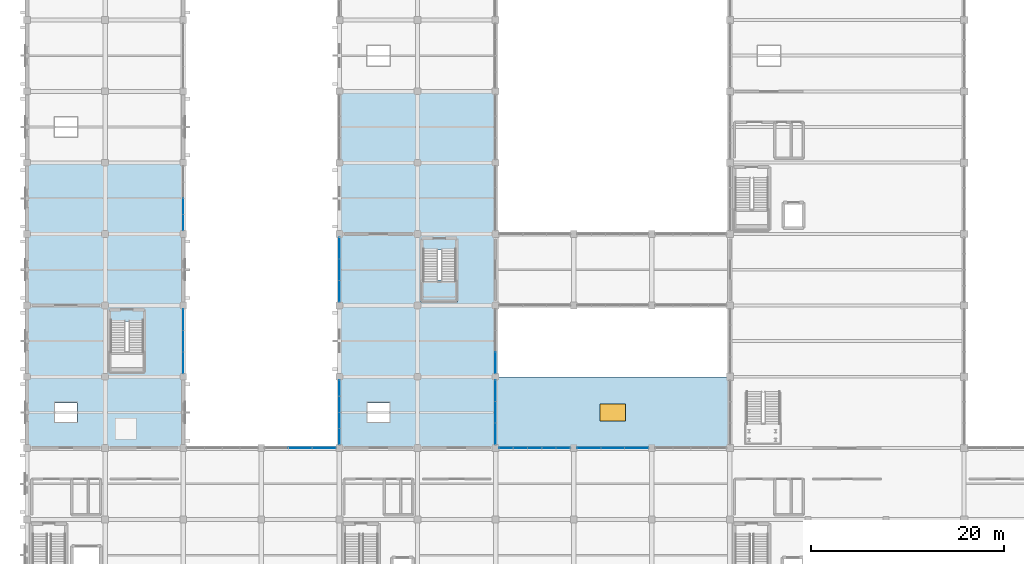
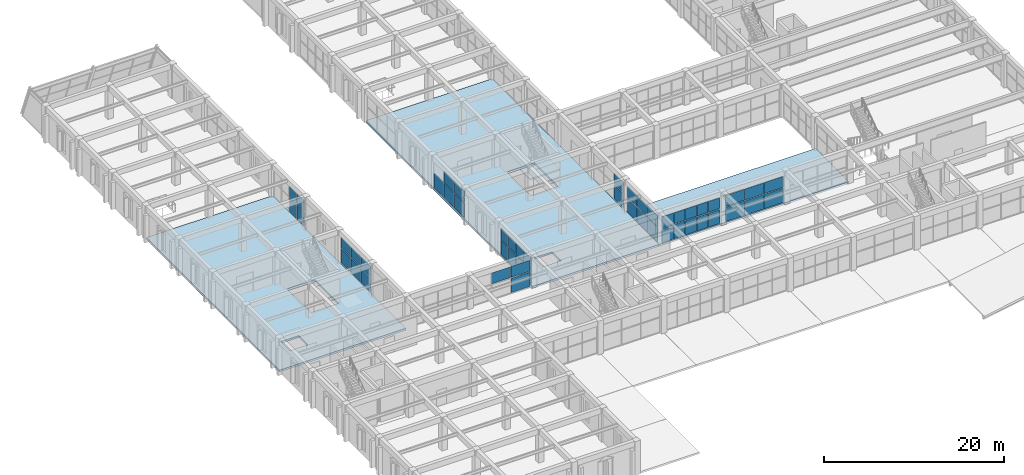
# One storey, part 131 of 161: 50 plates, 4 slabs, 1 window, 1 opening, 10 elements without a shape of their own.
"""IFC4 building model written with IfcOpenShell, lengths in metres."""

from ifc_helpers import new_model, si_unit, direction, frame, origin, origin_2d, place, context, subcontext, project, spatial, polyline, rectangle, outline, extrude, material, layer, layer_set, type_object, element, fill, aggregate, save


model = new_model("IFC4")

# Units and contexts
model_context = context("Model", 3, precision=1e-05, world=origin(), true_north=direction((0.0, 1.0)))
body_context = subcontext(model_context, "Body", "Model", "MODEL_VIEW")
ifc_project = project(units=[si_unit("LENGTHUNIT", "METRE"), si_unit("AREAUNIT", "SQUARE_METRE"), si_unit("VOLUMEUNIT", "CUBIC_METRE"), si_unit("PLANEANGLEUNIT", "RADIAN"), si_unit("MASSUNIT", "GRAM", prefix="KILO")], contexts=[model_context])

# Site, building, storey
site_placement = place(None, origin())
site = spatial("IfcSite", under=ifc_project, at=site_placement, CompositionType="ELEMENT")
building_placement = place(site_placement, origin())
building = spatial("IfcBuilding", under=site, at=building_placement, Name="Cimatlan Art Gallery", CompositionType="ELEMENT")
storey_placement = place(building_placement, frame((0.0, 0.0, 5.39990234375)))
storey = spatial("IfcBuildingStorey", under=building, at=storey_placement, Name="L01", CompositionType="ELEMENT", Elevation=5.39990234375)

# Curtain wall, plates
ifc_material_1 = material(Name="Anodised bronze unitised curtain wall")
curtain_wall_type_1 = type_object("IfcCurtainWallType", Name="CW-V-07392X03735-B5", PredefinedType="NOTDEFINED", material=ifc_material_1)
curtain_wall_1_placement = place(storey_placement, origin())
curtain_wall_1 = element("IfcCurtainWall", 1, at=curtain_wall_1_placement, inside=storey, type_object=curtain_wall_type_1, Name="CW-L01-06-04-N", PredefinedType="NOTDEFINED")
ifc_material_2 = material(Name="Low-E insulated double glazing", Category="glass")
ifc_layer_1 = layer(ifc_material_2, 0.028076171875)
ifc_layer_set_1 = layer_set([ifc_layer_1], Name="Low-E insulated double glazing")
plate_type_1 = type_object("IfcPlateType", Name="PNL-1420X1459", PredefinedType="CURTAIN_PANEL", material=ifc_layer_set_1)
plate_1_placement = place(storey_placement, frame((51.693115234375, 38.699951171875, 2.15380859375), z_axis=(0.0, 0.0, 1.0), x_axis=(1.0, 0.0, 0.0)))
plate_1 = element("IfcPlate", 2, at=plate_1_placement, type_object=plate_type_1, Name="CW-L01-06-04-N-P12", PredefinedType="CURTAIN_PANEL", context=body_context, shape_type="SweptSolid", body=[
    extrude(rectangle(XDim=1.419921875, YDim=0.028076171875, at=origin_2d()), origin(), (0.0, 0.0, 1.0), 1.458984375),
])
plate_2_placement = place(storey_placement, frame((53.171630859375, 38.699951171875, 2.15380859375), z_axis=(0.0, 0.0, 1.0), x_axis=(1.0, 0.0, 0.0)))
plate_2 = element("IfcPlate", 3, at=plate_2_placement, type_object=plate_type_1, Name="CW-L01-06-04-N-P22", PredefinedType="CURTAIN_PANEL", context=body_context, shape_type="SweptSolid", body=[
    extrude(rectangle(XDim=1.419921875, YDim=0.028076171875, at=origin_2d()), origin(), (0.0, 0.0, 1.0), 1.458984375),
])
plate_3_placement = place(storey_placement, frame((54.64990234375, 38.699951171875, 2.15380859375), z_axis=(0.0, 0.0, 1.0), x_axis=(1.0, 0.0, 0.0)))
plate_3 = element("IfcPlate", 4, at=plate_3_placement, type_object=plate_type_1, Name="CW-L01-06-04-N-P32", PredefinedType="CURTAIN_PANEL", context=body_context, shape_type="SweptSolid", body=[
    extrude(rectangle(XDim=1.419921875, YDim=0.028076171875, at=origin_2d()), origin(), (0.0, 0.0, 1.0), 1.458984375),
])
plate_4_placement = place(storey_placement, frame((56.12841796875, 38.699951171875, 2.15380859375), z_axis=(0.0, 0.0, 1.0), x_axis=(1.0, 0.0, 0.0)))
plate_4 = element("IfcPlate", 5, at=plate_4_placement, type_object=plate_type_1, Name="CW-L01-06-04-N-P42", PredefinedType="CURTAIN_PANEL", context=body_context, shape_type="SweptSolid", body=[
    extrude(rectangle(XDim=1.419921875, YDim=0.028076171875, at=origin_2d()), origin(), (0.0, 0.0, 1.0), 1.458984375),
])
plate_5_placement = place(storey_placement, frame((57.606689453125, 38.699951171875, 2.15380859375), z_axis=(0.0, 0.0, 1.0), x_axis=(1.0, 0.0, 0.0)))
plate_5 = element("IfcPlate", 6, at=plate_5_placement, type_object=plate_type_1, Name="CW-L01-06-04-N-P52", PredefinedType="CURTAIN_PANEL", context=body_context, shape_type="SweptSolid", body=[
    extrude(rectangle(XDim=1.419921875, YDim=0.028076171875, at=origin_2d()), origin(), (0.0, 0.0, 1.0), 1.458984375),
])
ifc_layer_2 = layer(ifc_material_2, 0.028076171875)
ifc_layer_set_2 = layer_set([ifc_layer_2], Name="Low-E insulated double glazing")
plate_type_2 = type_object("IfcPlateType", Name="PNL-1420X1908", PredefinedType="CURTAIN_PANEL", material=ifc_layer_set_2)
plate_6_placement = place(storey_placement, frame((51.693115234375, 38.699951171875, 0.1220703125), z_axis=(0.0, 0.0, 1.0), x_axis=(1.0, 0.0, 0.0)))
plate_6 = element("IfcPlate", 7, at=plate_6_placement, type_object=plate_type_2, Name="CW-L01-06-04-N-P11", PredefinedType="CURTAIN_PANEL", context=body_context, shape_type="SweptSolid", body=[
    extrude(rectangle(XDim=1.419921875, YDim=0.028076171875, at=origin_2d()), origin(), (0.0, 0.0, 1.0), 1.907958984375),
])
plate_7_placement = place(storey_placement, frame((53.171630859375, 38.699951171875, 0.1220703125), z_axis=(0.0, 0.0, 1.0), x_axis=(1.0, 0.0, 0.0)))
plate_7 = element("IfcPlate", 8, at=plate_7_placement, type_object=plate_type_2, Name="CW-L01-06-04-N-P21", PredefinedType="CURTAIN_PANEL", context=body_context, shape_type="SweptSolid", body=[
    extrude(rectangle(XDim=1.419921875, YDim=0.028076171875, at=origin_2d()), origin(), (0.0, 0.0, 1.0), 1.907958984375),
])
plate_8_placement = place(storey_placement, frame((54.64990234375, 38.699951171875, 0.1220703125), z_axis=(0.0, 0.0, 1.0), x_axis=(1.0, 0.0, 0.0)))
plate_8 = element("IfcPlate", 9, at=plate_8_placement, type_object=plate_type_2, Name="CW-L01-06-04-N-P31", PredefinedType="CURTAIN_PANEL", context=body_context, shape_type="SweptSolid", body=[
    extrude(rectangle(XDim=1.419921875, YDim=0.028076171875, at=origin_2d()), origin(), (0.0, 0.0, 1.0), 1.907958984375),
])
plate_9_placement = place(storey_placement, frame((56.12841796875, 38.699951171875, 0.1220703125), z_axis=(0.0, 0.0, 1.0), x_axis=(1.0, 0.0, 0.0)))
plate_9 = element("IfcPlate", 10, at=plate_9_placement, type_object=plate_type_2, Name="CW-L01-06-04-N-P41", PredefinedType="CURTAIN_PANEL", context=body_context, shape_type="SweptSolid", body=[
    extrude(rectangle(XDim=1.419921875, YDim=0.028076171875, at=origin_2d()), origin(), (0.0, 0.0, 1.0), 1.907958984375),
])
plate_10_placement = place(storey_placement, frame((57.606689453125, 38.699951171875, 0.1220703125), z_axis=(0.0, 0.0, 1.0), x_axis=(1.0, 0.0, 0.0)))
plate_10 = element("IfcPlate", 11, at=plate_10_placement, type_object=plate_type_2, Name="CW-L01-06-04-N-P51", PredefinedType="CURTAIN_PANEL", context=body_context, shape_type="SweptSolid", body=[
    extrude(rectangle(XDim=1.419921875, YDim=0.028076171875, at=origin_2d()), origin(), (0.0, 0.0, 1.0), 1.907958984375),
])
aggregate(curtain_wall_1, [plate_6, plate_1, plate_7, plate_2, plate_8, plate_3, plate_9, plate_4, plate_10, plate_5])

curtain_wall_type_2 = type_object("IfcCurtainWallType", Name="CW-V-06692X03720-B4", PredefinedType="NOTDEFINED", material=ifc_material_1)
curtain_wall_2_placement = place(storey_placement, origin())
curtain_wall_2 = element("IfcCurtainWall", 12, at=curtain_wall_2_placement, inside=storey, type_object=curtain_wall_type_2, Name="CW-L01-01-08-E", PredefinedType="NOTDEFINED")
ifc_layer_3 = layer(ifc_material_2, 0.028076171875)
ifc_layer_set_3 = layer_set([ifc_layer_3], Name="Low-E insulated double glazing")
plate_type_3 = type_object("IfcPlateType", Name="PNL-1615X1453", PredefinedType="CURTAIN_PANEL", material=ifc_layer_set_3)
plate_11_placement = place(storey_placement, frame((18.199951171875, 63.763427734375, 2.14501953125), z_axis=(0.0, 0.0, 1.0), x_axis=(0.0, -1.0, 0.0)))
plate_11 = element("IfcPlate", 13, at=plate_11_placement, type_object=plate_type_3, Name="CW-L01-01-08-E-P32", PredefinedType="CURTAIN_PANEL", context=body_context, shape_type="SweptSolid", body=[
    extrude(rectangle(XDim=1.614990234375, YDim=0.028076171875, at=origin_2d()), origin(), (0.0, 0.0, 1.0), 1.452880859375),
])
plate_12_placement = place(storey_placement, frame((18.199951171875, 62.090576171875, 2.14501953125), z_axis=(0.0, 0.0, 1.0), x_axis=(0.0, -1.0, 0.0)))
plate_12 = element("IfcPlate", 14, at=plate_12_placement, type_object=plate_type_3, Name="CW-L01-01-08-E-P42", PredefinedType="CURTAIN_PANEL", context=body_context, shape_type="SweptSolid", body=[
    extrude(rectangle(XDim=1.614990234375, YDim=0.028076171875, at=origin_2d()), origin(), (0.0, 0.0, 1.0), 1.452880859375),
])

curtain_wall_3_placement = place(storey_placement, origin())
curtain_wall_3 = element("IfcCurtainWall", 15, at=curtain_wall_3_placement, inside=storey, type_object=curtain_wall_type_2, Name="CW-L01-04-05-W", PredefinedType="NOTDEFINED")
plate_13_placement = place(storey_placement, frame((34.39990234375, 39.890380859375, 2.14501953125), z_axis=(0.0, 0.0, 1.0), x_axis=(0.0, 1.0, 0.0)))
plate_13 = element("IfcPlate", 16, at=plate_13_placement, type_object=plate_type_3, Name="CW-L01-04-05-W-P12", PredefinedType="CURTAIN_PANEL", context=body_context, shape_type="SweptSolid", body=[
    extrude(rectangle(XDim=1.614990234375, YDim=0.028076171875, at=origin_2d()), origin(), (0.0, 0.0, 1.0), 1.452880859375),
])
plate_14_placement = place(storey_placement, frame((34.39990234375, 41.5634765625, 2.14501953125), z_axis=(0.0, 0.0, 1.0), x_axis=(0.0, 1.0, 0.0)))
plate_14 = element("IfcPlate", 17, at=plate_14_placement, type_object=plate_type_3, Name="CW-L01-04-05-W-P22", PredefinedType="CURTAIN_PANEL", context=body_context, shape_type="SweptSolid", body=[
    extrude(rectangle(XDim=1.614990234375, YDim=0.028076171875, at=origin_2d()), origin(), (0.0, 0.0, 1.0), 1.452880859375),
])
plate_15_placement = place(storey_placement, frame((34.39990234375, 43.236572265625, 2.14501953125), z_axis=(0.0, 0.0, 1.0), x_axis=(0.0, 1.0, 0.0)))
plate_15 = element("IfcPlate", 18, at=plate_15_placement, type_object=plate_type_3, Name="CW-L01-04-05-W-P32", PredefinedType="CURTAIN_PANEL", context=body_context, shape_type="SweptSolid", body=[
    extrude(rectangle(XDim=1.614990234375, YDim=0.028076171875, at=origin_2d()), origin(), (0.0, 0.0, 1.0), 1.452880859375),
])
plate_16_placement = place(storey_placement, frame((34.39990234375, 44.909423828125, 2.14501953125), z_axis=(0.0, 0.0, 1.0), x_axis=(0.0, 1.0, 0.0)))
plate_16 = element("IfcPlate", 19, at=plate_16_placement, type_object=plate_type_3, Name="CW-L01-04-05-W-P42", PredefinedType="CURTAIN_PANEL", context=body_context, shape_type="SweptSolid", body=[
    extrude(rectangle(XDim=1.614990234375, YDim=0.028076171875, at=origin_2d()), origin(), (0.0, 0.0, 1.0), 1.452880859375),
])

# Plate
ifc_layer_4 = layer(ifc_material_2, 0.028076171875)
ifc_layer_set_4 = layer_set([ifc_layer_4], Name="Low-E insulated double glazing")
plate_type_4 = type_object("IfcPlateType", Name="PNL-1615X1899", PredefinedType="CURTAIN_PANEL", material=ifc_layer_set_4)
plate_17_placement = place(storey_placement, frame((18.199951171875, 63.763427734375, 0.122314453125), z_axis=(0.0, 0.0, 1.0), x_axis=(0.0, -1.0, 0.0)))
plate_17 = element("IfcPlate", 20, at=plate_17_placement, type_object=plate_type_4, Name="CW-L01-01-08-E-P31", PredefinedType="CURTAIN_PANEL", context=body_context, shape_type="SweptSolid", body=[
    extrude(rectangle(XDim=1.614990234375, YDim=0.028076171875, at=origin_2d()), origin(), (0.0, 0.0, 1.0), 1.89892578125),
])

plate_18_placement = place(storey_placement, frame((18.199951171875, 62.090576171875, 0.122314453125), z_axis=(0.0, 0.0, 1.0), x_axis=(0.0, -1.0, 0.0)))
plate_18 = element("IfcPlate", 21, at=plate_18_placement, type_object=plate_type_4, Name="CW-L01-01-08-E-P41", PredefinedType="CURTAIN_PANEL", context=body_context, shape_type="SweptSolid", body=[
    extrude(rectangle(XDim=1.614990234375, YDim=0.028076171875, at=origin_2d()), origin(), (0.0, 0.0, 1.0), 1.89892578125),
])

aggregate(curtain_wall_2, [plate_17, plate_11, plate_18, plate_12])

plate_19_placement = place(storey_placement, frame((34.39990234375, 39.890380859375, 0.122314453125), z_axis=(0.0, 0.0, 1.0), x_axis=(0.0, 1.0, 0.0)))
plate_19 = element("IfcPlate", 22, at=plate_19_placement, type_object=plate_type_4, Name="CW-L01-04-05-W-P11", PredefinedType="CURTAIN_PANEL", context=body_context, shape_type="SweptSolid", body=[
    extrude(rectangle(XDim=1.614990234375, YDim=0.028076171875, at=origin_2d()), origin(), (0.0, 0.0, 1.0), 1.89892578125),
])

plate_20_placement = place(storey_placement, frame((34.39990234375, 41.5634765625, 0.122314453125), z_axis=(0.0, 0.0, 1.0), x_axis=(0.0, 1.0, 0.0)))
plate_20 = element("IfcPlate", 23, at=plate_20_placement, type_object=plate_type_4, Name="CW-L01-04-05-W-P21", PredefinedType="CURTAIN_PANEL", context=body_context, shape_type="SweptSolid", body=[
    extrude(rectangle(XDim=1.614990234375, YDim=0.028076171875, at=origin_2d()), origin(), (0.0, 0.0, 1.0), 1.89892578125),
])

plate_21_placement = place(storey_placement, frame((34.39990234375, 43.236572265625, 0.122314453125), z_axis=(0.0, 0.0, 1.0), x_axis=(0.0, 1.0, 0.0)))
plate_21 = element("IfcPlate", 24, at=plate_21_placement, type_object=plate_type_4, Name="CW-L01-04-05-W-P31", PredefinedType="CURTAIN_PANEL", context=body_context, shape_type="SweptSolid", body=[
    extrude(rectangle(XDim=1.614990234375, YDim=0.028076171875, at=origin_2d()), origin(), (0.0, 0.0, 1.0), 1.89892578125),
])

plate_22_placement = place(storey_placement, frame((34.39990234375, 44.909423828125, 0.122314453125), z_axis=(0.0, 0.0, 1.0), x_axis=(0.0, 1.0, 0.0)))
plate_22 = element("IfcPlate", 25, at=plate_22_placement, type_object=plate_type_4, Name="CW-L01-04-05-W-P41", PredefinedType="CURTAIN_PANEL", context=body_context, shape_type="SweptSolid", body=[
    extrude(rectangle(XDim=1.614990234375, YDim=0.028076171875, at=origin_2d()), origin(), (0.0, 0.0, 1.0), 1.89892578125),
])

aggregate(curtain_wall_3, [plate_19, plate_13, plate_20, plate_14, plate_21, plate_15, plate_22, plate_16])

# Curtain wall, plates
curtain_wall_type_3 = type_object("IfcCurtainWallType", Name="CW-V-06692X03750-B3", PredefinedType="NOTDEFINED", material=ifc_material_1)
curtain_wall_4_placement = place(storey_placement, origin())
curtain_wall_4 = element("IfcCurtainWall", 26, at=curtain_wall_4_placement, inside=storey, type_object=curtain_wall_type_3, Name="CW-L01-01-06-E", PredefinedType="NOTDEFINED")
ifc_layer_5 = layer(ifc_material_2, 0.028076171875)
ifc_layer_set_5 = layer_set([ifc_layer_5], Name="Low-E insulated double glazing")
plate_type_5 = type_object("IfcPlateType", Name="PNL-2173X1466", PredefinedType="CURTAIN_PANEL", material=ifc_layer_set_5)
plate_23_placement = place(storey_placement, frame((18.199951171875, 52.03076171875, 2.162109375), z_axis=(0.0, 0.0, 1.0), x_axis=(0.0, -1.0, 0.0)))
plate_23 = element("IfcPlate", 27, at=plate_23_placement, type_object=plate_type_5, Name="CW-L01-01-06-E-P12", PredefinedType="CURTAIN_PANEL", context=body_context, shape_type="SweptSolid", body=[
    extrude(rectangle(XDim=2.173095703125, YDim=0.028076171875, at=origin_2d()), origin(), (0.0, 0.0, 1.0), 1.466064453125),
])
plate_24_placement = place(storey_placement, frame((18.199951171875, 49.800048828125, 2.162109375), z_axis=(0.0, 0.0, 1.0), x_axis=(0.0, -1.0, 0.0)))
plate_24 = element("IfcPlate", 28, at=plate_24_placement, type_object=plate_type_5, Name="CW-L01-01-06-E-P22", PredefinedType="CURTAIN_PANEL", context=body_context, shape_type="SweptSolid", body=[
    extrude(rectangle(XDim=2.173095703125, YDim=0.028076171875, at=origin_2d()), origin(), (0.0, 0.0, 1.0), 1.466064453125),
])
plate_25_placement = place(storey_placement, frame((18.199951171875, 47.5693359375, 2.162109375), z_axis=(0.0, 0.0, 1.0), x_axis=(0.0, -1.0, 0.0)))
plate_25 = element("IfcPlate", 29, at=plate_25_placement, type_object=plate_type_5, Name="CW-L01-01-06-E-P32", PredefinedType="CURTAIN_PANEL", context=body_context, shape_type="SweptSolid", body=[
    extrude(rectangle(XDim=2.173095703125, YDim=0.028076171875, at=origin_2d()), origin(), (0.0, 0.0, 1.0), 1.466064453125),
])

# Curtain wall, plate
curtain_wall_5_placement = place(storey_placement, origin())
curtain_wall_5 = element("IfcCurtainWall", 30, at=curtain_wall_5_placement, inside=storey, type_object=curtain_wall_type_3, Name="CW-L01-05-06-E", PredefinedType="NOTDEFINED")
plate_26_placement = place(storey_placement, frame((50.60009765625, 47.5693359375, 2.162109375), z_axis=(0.0, 0.0, 1.0), x_axis=(0.0, -1.0, 0.0)))
plate_26 = element("IfcPlate", 31, at=plate_26_placement, type_object=plate_type_5, Name="CW-L01-05-06-E-P32", PredefinedType="CURTAIN_PANEL", context=body_context, shape_type="SweptSolid", body=[
    extrude(rectangle(XDim=2.173095703125, YDim=0.028076171875, at=origin_2d()), origin(), (0.0, 0.0, 1.0), 1.466064453125),
])

# Curtain wall, plates
curtain_wall_type_4 = type_object("IfcCurtainWallType", Name="CW-V-06692X03765-B3", PredefinedType="NOTDEFINED", material=ifc_material_1)
curtain_wall_6_placement = place(storey_placement, origin())
curtain_wall_6 = element("IfcCurtainWall", 32, at=curtain_wall_6_placement, inside=storey, type_object=curtain_wall_type_4, Name="CW-L01-05-05-E", PredefinedType="NOTDEFINED")
ifc_layer_6 = layer(ifc_material_2, 0.028076171875)
ifc_layer_set_6 = layer_set([ifc_layer_6], Name="Low-E insulated double glazing")
plate_type_6 = type_object("IfcPlateType", Name="PNL-2173X1473", PredefinedType="CURTAIN_PANEL", material=ifc_layer_set_6)
plate_27_placement = place(storey_placement, frame((50.60009765625, 44.630615234375, 2.17041015625), z_axis=(0.0, 0.0, 1.0), x_axis=(0.0, -1.0, 0.0)))
plate_27 = element("IfcPlate", 33, at=plate_27_placement, type_object=plate_type_6, Name="CW-L01-05-05-E-P12", PredefinedType="CURTAIN_PANEL", context=body_context, shape_type="SweptSolid", body=[
    extrude(rectangle(XDim=2.173095703125, YDim=0.028076171875, at=origin_2d()), origin(), (0.0, 0.0, 1.0), 1.472900390625),
])
plate_28_placement = place(storey_placement, frame((50.60009765625, 42.39990234375, 2.17041015625), z_axis=(0.0, 0.0, 1.0), x_axis=(0.0, -1.0, 0.0)))
plate_28 = element("IfcPlate", 34, at=plate_28_placement, type_object=plate_type_6, Name="CW-L01-05-05-E-P22", PredefinedType="CURTAIN_PANEL", context=body_context, shape_type="SweptSolid", body=[
    extrude(rectangle(XDim=2.173095703125, YDim=0.028076171875, at=origin_2d()), origin(), (0.0, 0.0, 1.0), 1.472900390625),
])
plate_29_placement = place(storey_placement, frame((50.60009765625, 40.16943359375, 2.17041015625), z_axis=(0.0, 0.0, 1.0), x_axis=(0.0, -1.0, 0.0)))
plate_29 = element("IfcPlate", 35, at=plate_29_placement, type_object=plate_type_6, Name="CW-L01-05-05-E-P32", PredefinedType="CURTAIN_PANEL", context=body_context, shape_type="SweptSolid", body=[
    extrude(rectangle(XDim=2.173095703125, YDim=0.028076171875, at=origin_2d()), origin(), (0.0, 0.0, 1.0), 1.472900390625),
])

curtain_wall_type_5 = type_object("IfcCurtainWallType", Name="CW-V-06692X03780-B3", PredefinedType="NOTDEFINED", material=ifc_material_1)
curtain_wall_7_placement = place(storey_placement, origin())
curtain_wall_7 = element("IfcCurtainWall", 36, at=curtain_wall_7_placement, inside=storey, type_object=curtain_wall_type_5, Name="CW-L01-04-07-W", PredefinedType="NOTDEFINED")
ifc_layer_7 = layer(ifc_material_2, 0.028076171875)
ifc_layer_set_7 = layer_set([ifc_layer_7], Name="Low-E insulated double glazing")
plate_type_7 = type_object("IfcPlateType", Name="PNL-2173X1479", PredefinedType="CURTAIN_PANEL", material=ifc_layer_set_7)
plate_30_placement = place(storey_placement, frame((34.39990234375, 54.96923828125, 2.178955078125), z_axis=(0.0, 0.0, 1.0), x_axis=(0.0, 1.0, 0.0)))
plate_30 = element("IfcPlate", 37, at=plate_30_placement, type_object=plate_type_7, Name="CW-L01-04-07-W-P12", PredefinedType="CURTAIN_PANEL", context=body_context, shape_type="SweptSolid", body=[
    extrude(rectangle(XDim=2.173095703125, YDim=0.028076171875, at=origin_2d()), origin(), (0.0, 0.0, 1.0), 1.47900390625),
])
plate_31_placement = place(storey_placement, frame((34.39990234375, 57.199951171875, 2.178955078125), z_axis=(0.0, 0.0, 1.0), x_axis=(0.0, 1.0, 0.0)))
plate_31 = element("IfcPlate", 38, at=plate_31_placement, type_object=plate_type_7, Name="CW-L01-04-07-W-P22", PredefinedType="CURTAIN_PANEL", context=body_context, shape_type="SweptSolid", body=[
    extrude(rectangle(XDim=2.173095703125, YDim=0.028076171875, at=origin_2d()), origin(), (0.0, 0.0, 1.0), 1.47900390625),
])

# Plate
ifc_layer_8 = layer(ifc_material_2, 0.028076171875)
ifc_layer_set_8 = layer_set([ifc_layer_8], Name="Low-E insulated double glazing")
plate_type_8 = type_object("IfcPlateType", Name="PNL-2173X1916", PredefinedType="CURTAIN_PANEL", material=ifc_layer_set_8)
plate_32_placement = place(storey_placement, frame((18.199951171875, 52.03076171875, 0.1220703125), z_axis=(0.0, 0.0, 1.0), x_axis=(0.0, -1.0, 0.0)))
plate_32 = element("IfcPlate", 39, at=plate_32_placement, type_object=plate_type_8, Name="CW-L01-01-06-E-P11", PredefinedType="CURTAIN_PANEL", context=body_context, shape_type="SweptSolid", body=[
    extrude(rectangle(XDim=2.173095703125, YDim=0.028076171875, at=origin_2d()), origin(), (0.0, 0.0, 1.0), 1.916015625),
])

plate_33_placement = place(storey_placement, frame((18.199951171875, 49.800048828125, 0.1220703125), z_axis=(0.0, 0.0, 1.0), x_axis=(0.0, -1.0, 0.0)))
plate_33 = element("IfcPlate", 40, at=plate_33_placement, type_object=plate_type_8, Name="CW-L01-01-06-E-P21", PredefinedType="CURTAIN_PANEL", context=body_context, shape_type="SweptSolid", body=[
    extrude(rectangle(XDim=2.173095703125, YDim=0.028076171875, at=origin_2d()), origin(), (0.0, 0.0, 1.0), 1.916015625),
])

plate_34_placement = place(storey_placement, frame((18.199951171875, 47.5693359375, 0.1220703125), z_axis=(0.0, 0.0, 1.0), x_axis=(0.0, -1.0, 0.0)))
plate_34 = element("IfcPlate", 41, at=plate_34_placement, type_object=plate_type_8, Name="CW-L01-01-06-E-P31", PredefinedType="CURTAIN_PANEL", context=body_context, shape_type="SweptSolid", body=[
    extrude(rectangle(XDim=2.173095703125, YDim=0.028076171875, at=origin_2d()), origin(), (0.0, 0.0, 1.0), 1.916015625),
])

aggregate(curtain_wall_4, [plate_32, plate_23, plate_33, plate_24, plate_34, plate_25])

plate_35_placement = place(storey_placement, frame((50.60009765625, 47.5693359375, 0.1220703125), z_axis=(0.0, 0.0, 1.0), x_axis=(0.0, -1.0, 0.0)))
plate_35 = element("IfcPlate", 42, at=plate_35_placement, type_object=plate_type_8, Name="CW-L01-05-06-E-P31", PredefinedType="CURTAIN_PANEL", context=body_context, shape_type="SweptSolid", body=[
    extrude(rectangle(XDim=2.173095703125, YDim=0.028076171875, at=origin_2d()), origin(), (0.0, 0.0, 1.0), 1.916015625),
])

aggregate(curtain_wall_5, [plate_35, plate_26])

ifc_layer_9 = layer(ifc_material_2, 0.028076171875)
ifc_layer_set_9 = layer_set([ifc_layer_9], Name="Low-E insulated double glazing")
plate_type_9 = type_object("IfcPlateType", Name="PNL-2173X1924", PredefinedType="CURTAIN_PANEL", material=ifc_layer_set_9)
plate_36_placement = place(storey_placement, frame((50.60009765625, 44.630615234375, 0.1220703125), z_axis=(0.0, 0.0, 1.0), x_axis=(0.0, -1.0, 0.0)))
plate_36 = element("IfcPlate", 43, at=plate_36_placement, type_object=plate_type_9, Name="CW-L01-05-05-E-P11", PredefinedType="CURTAIN_PANEL", context=body_context, shape_type="SweptSolid", body=[
    extrude(rectangle(XDim=2.173095703125, YDim=0.028076171875, at=origin_2d()), origin(), (0.0, 0.0, 1.0), 1.924072265625),
])

plate_37_placement = place(storey_placement, frame((50.60009765625, 42.39990234375, 0.1220703125), z_axis=(0.0, 0.0, 1.0), x_axis=(0.0, -1.0, 0.0)))
plate_37 = element("IfcPlate", 44, at=plate_37_placement, type_object=plate_type_9, Name="CW-L01-05-05-E-P21", PredefinedType="CURTAIN_PANEL", context=body_context, shape_type="SweptSolid", body=[
    extrude(rectangle(XDim=2.173095703125, YDim=0.028076171875, at=origin_2d()), origin(), (0.0, 0.0, 1.0), 1.924072265625),
])

plate_38_placement = place(storey_placement, frame((50.60009765625, 40.16943359375, 0.1220703125), z_axis=(0.0, 0.0, 1.0), x_axis=(0.0, -1.0, 0.0)))
plate_38 = element("IfcPlate", 45, at=plate_38_placement, type_object=plate_type_9, Name="CW-L01-05-05-E-P31", PredefinedType="CURTAIN_PANEL", context=body_context, shape_type="SweptSolid", body=[
    extrude(rectangle(XDim=2.173095703125, YDim=0.028076171875, at=origin_2d()), origin(), (0.0, 0.0, 1.0), 1.924072265625),
])

aggregate(curtain_wall_6, [plate_36, plate_27, plate_37, plate_28, plate_38, plate_29])

ifc_layer_10 = layer(ifc_material_2, 0.028076171875)
ifc_layer_set_10 = layer_set([ifc_layer_10], Name="Low-E insulated double glazing")
plate_type_10 = type_object("IfcPlateType", Name="PNL-2173X1933", PredefinedType="CURTAIN_PANEL", material=ifc_layer_set_10)
plate_39_placement = place(storey_placement, frame((34.39990234375, 54.96923828125, 0.121826171875), z_axis=(0.0, 0.0, 1.0), x_axis=(0.0, 1.0, 0.0)))
plate_39 = element("IfcPlate", 46, at=plate_39_placement, type_object=plate_type_10, Name="CW-L01-04-07-W-P11", PredefinedType="CURTAIN_PANEL", context=body_context, shape_type="SweptSolid", body=[
    extrude(rectangle(XDim=2.173095703125, YDim=0.028076171875, at=origin_2d()), origin(), (0.0, 0.0, 1.0), 1.93310546875),
])

plate_40_placement = place(storey_placement, frame((34.39990234375, 57.199951171875, 0.121826171875), z_axis=(0.0, 0.0, 1.0), x_axis=(0.0, 1.0, 0.0)))
plate_40 = element("IfcPlate", 47, at=plate_40_placement, type_object=plate_type_10, Name="CW-L01-04-07-W-P21", PredefinedType="CURTAIN_PANEL", context=body_context, shape_type="SweptSolid", body=[
    extrude(rectangle(XDim=2.173095703125, YDim=0.028076171875, at=origin_2d()), origin(), (0.0, 0.0, 1.0), 1.93310546875),
])

plate_41_placement = place(storey_placement, frame((34.39990234375, 59.4306640625, 0.121826171875), z_axis=(0.0, 0.0, 1.0), x_axis=(0.0, 1.0, 0.0)))
plate_41 = element("IfcPlate", 48, at=plate_41_placement, type_object=plate_type_10, Name="CW-L01-04-07-W-P31", PredefinedType="CURTAIN_PANEL", context=body_context, shape_type="SweptSolid", body=[
    extrude(rectangle(XDim=2.173095703125, YDim=0.028076171875, at=origin_2d()), origin(), (0.0, 0.0, 1.0), 1.93310546875),
])

aggregate(curtain_wall_7, [plate_39, plate_30, plate_40, plate_31, plate_41])

# Curtain wall, plates
curtain_wall_type_6 = type_object("IfcCurtainWallType", Name="CW-V-07392X03780-B3", PredefinedType="NOTDEFINED", material=ifc_material_1)
curtain_wall_8_placement = place(storey_placement, origin())
curtain_wall_8 = element("IfcCurtainWall", 49, at=curtain_wall_8_placement, inside=storey, type_object=curtain_wall_type_6, Name="CW-L01-03-04-N", PredefinedType="NOTDEFINED")
ifc_layer_11 = layer(ifc_material_2, 0.028076171875)
ifc_layer_set_11 = layer_set([ifc_layer_11], Name="Low-E insulated double glazing")
plate_type_11 = type_object("IfcPlateType", Name="PNL-2406X1479", PredefinedType="CURTAIN_PANEL", material=ifc_layer_set_11)
plate_42_placement = place(storey_placement, frame((30.35009765625, 38.699951171875, 2.178955078125), z_axis=(0.0, 0.0, 1.0), x_axis=(1.0, 0.0, 0.0)))
plate_42 = element("IfcPlate", 50, at=plate_42_placement, type_object=plate_type_11, Name="CW-L01-03-04-N-P22", PredefinedType="CURTAIN_PANEL", context=body_context, shape_type="SweptSolid", body=[
    extrude(rectangle(XDim=2.406005859375, YDim=0.028076171875, at=origin_2d()), origin(), (0.0, 0.0, 1.0), 1.47900390625),
])
plate_43_placement = place(storey_placement, frame((32.81396484375, 38.699951171875, 2.178955078125), z_axis=(0.0, 0.0, 1.0), x_axis=(1.0, 0.0, 0.0)))
plate_43 = element("IfcPlate", 51, at=plate_43_placement, type_object=plate_type_11, Name="CW-L01-03-04-N-P32", PredefinedType="CURTAIN_PANEL", context=body_context, shape_type="SweptSolid", body=[
    extrude(rectangle(XDim=2.406005859375, YDim=0.028076171875, at=origin_2d()), origin(), (0.0, 0.0, 1.0), 1.47900390625),
])

curtain_wall_9_placement = place(storey_placement, origin())
curtain_wall_9 = element("IfcCurtainWall", 52, at=curtain_wall_9_placement, inside=storey, type_object=curtain_wall_type_6, Name="CW-L01-07-04-N", PredefinedType="NOTDEFINED")
plate_44_placement = place(storey_placement, frame((60.285888671875, 38.699951171875, 2.178955078125), z_axis=(0.0, 0.0, 1.0), x_axis=(1.0, 0.0, 0.0)))
plate_44 = element("IfcPlate", 53, at=plate_44_placement, type_object=plate_type_11, Name="CW-L01-07-04-N-P12", PredefinedType="CURTAIN_PANEL", context=body_context, shape_type="SweptSolid", body=[
    extrude(rectangle(XDim=2.406005859375, YDim=0.028076171875, at=origin_2d()), origin(), (0.0, 0.0, 1.0), 1.47900390625),
])
plate_45_placement = place(storey_placement, frame((62.75, 38.699951171875, 2.178955078125), z_axis=(0.0, 0.0, 1.0), x_axis=(1.0, 0.0, 0.0)))
plate_45 = element("IfcPlate", 54, at=plate_45_placement, type_object=plate_type_11, Name="CW-L01-07-04-N-P22", PredefinedType="CURTAIN_PANEL", context=body_context, shape_type="SweptSolid", body=[
    extrude(rectangle(XDim=2.406005859375, YDim=0.028076171875, at=origin_2d()), origin(), (0.0, 0.0, 1.0), 1.47900390625),
])
plate_46_placement = place(storey_placement, frame((65.214111328125, 38.699951171875, 2.178955078125), z_axis=(0.0, 0.0, 1.0), x_axis=(1.0, 0.0, 0.0)))
plate_46 = element("IfcPlate", 55, at=plate_46_placement, type_object=plate_type_11, Name="CW-L01-07-04-N-P32", PredefinedType="CURTAIN_PANEL", context=body_context, shape_type="SweptSolid", body=[
    extrude(rectangle(XDim=2.406005859375, YDim=0.028076171875, at=origin_2d()), origin(), (0.0, 0.0, 1.0), 1.47900390625),
])

# Plate
ifc_layer_12 = layer(ifc_material_2, 0.028076171875)
ifc_layer_set_12 = layer_set([ifc_layer_12], Name="Low-E insulated double glazing")
plate_type_12 = type_object("IfcPlateType", Name="PNL-2406X1933", PredefinedType="CURTAIN_PANEL", material=ifc_layer_set_12)
plate_47_placement = place(storey_placement, frame((32.81396484375, 38.699951171875, 0.121826171875), z_axis=(0.0, 0.0, 1.0), x_axis=(1.0, 0.0, 0.0)))
plate_47 = element("IfcPlate", 56, at=plate_47_placement, type_object=plate_type_12, Name="CW-L01-03-04-N-P31", PredefinedType="CURTAIN_PANEL", context=body_context, shape_type="SweptSolid", body=[
    extrude(rectangle(XDim=2.406005859375, YDim=0.028076171875, at=origin_2d()), origin(), (0.0, 0.0, 1.0), 1.93310546875),
])

aggregate(curtain_wall_8, [plate_42, plate_47, plate_43])

plate_48_placement = place(storey_placement, frame((60.285888671875, 38.699951171875, 0.121826171875), z_axis=(0.0, 0.0, 1.0), x_axis=(1.0, 0.0, 0.0)))
plate_48 = element("IfcPlate", 57, at=plate_48_placement, type_object=plate_type_12, Name="CW-L01-07-04-N-P11", PredefinedType="CURTAIN_PANEL", context=body_context, shape_type="SweptSolid", body=[
    extrude(rectangle(XDim=2.406005859375, YDim=0.028076171875, at=origin_2d()), origin(), (0.0, 0.0, 1.0), 1.93310546875),
])

plate_49_placement = place(storey_placement, frame((62.75, 38.699951171875, 0.121826171875), z_axis=(0.0, 0.0, 1.0), x_axis=(1.0, 0.0, 0.0)))
plate_49 = element("IfcPlate", 58, at=plate_49_placement, type_object=plate_type_12, Name="CW-L01-07-04-N-P21", PredefinedType="CURTAIN_PANEL", context=body_context, shape_type="SweptSolid", body=[
    extrude(rectangle(XDim=2.406005859375, YDim=0.028076171875, at=origin_2d()), origin(), (0.0, 0.0, 1.0), 1.93310546875),
])

plate_50_placement = place(storey_placement, frame((65.214111328125, 38.699951171875, 0.121826171875), z_axis=(0.0, 0.0, 1.0), x_axis=(1.0, 0.0, 0.0)))
plate_50 = element("IfcPlate", 59, at=plate_50_placement, type_object=plate_type_12, Name="CW-L01-07-04-N-P31", PredefinedType="CURTAIN_PANEL", context=body_context, shape_type="SweptSolid", body=[
    extrude(rectangle(XDim=2.406005859375, YDim=0.028076171875, at=origin_2d()), origin(), (0.0, 0.0, 1.0), 1.93310546875),
])

aggregate(curtain_wall_9, [plate_48, plate_44, plate_49, plate_45, plate_50, plate_46])

# Slabs
ifc_material_3 = material(Name="Concrete C35/45", Category="concrete")
ifc_layer_13 = layer(ifc_material_3, 0.264892578125)
ifc_layer_set_13 = layer_set([ifc_layer_13], Name="Concrete C35/45")
slab_type_1 = type_object("IfcSlabType", Name="SLB-FLR-L01", PredefinedType="FLOOR", material=ifc_layer_set_13)
slab_1_placement = place(storey_placement, frame((0.0, 0.0, -0.264892578125)))
element("IfcSlab", 60, at=slab_1_placement, inside=storey, type_object=slab_type_1, Name="SLB-L01-B1S", PredefinedType="FLOOR", context=body_context, shape_type="SweptSolid", body=[
    extrude(outline(polyline([(2.0, 38.699951171875), (18.199951171875, 38.699951171875), (18.199951171875, 68.300048828125), (2.0, 68.300048828125), (2.0, 38.699951171875)]), holes=[polyline([(10.60009765625, 46.6201171875), (14.1201171875, 46.6201171875), (14.1201171875, 51.85009765625), (10.60009765625, 51.85009765625), (10.60009765625, 46.6201171875)]), polyline([(4.89990234375, 41.39990234375), (7.199951171875, 41.39990234375), (7.199951171875, 43.39990234375), (4.89990234375, 43.39990234375), (4.89990234375, 41.39990234375)])]), origin(), (0.0, 0.0, 1.0), 0.264892578125),
])
slab_2_placement = place(storey_placement, frame((0.0, 0.0, -0.264892578125)))
element("IfcSlab", 61, at=slab_2_placement, inside=storey, type_object=slab_type_1, Name="SLB-L01-B2S", PredefinedType="FLOOR", context=body_context, shape_type="SweptSolid", body=[
    extrude(outline(polyline([(34.39990234375, 38.699951171875), (50.60009765625, 38.699951171875), (50.60009765625, 75.699951171875), (34.39990234375, 75.699951171875), (34.39990234375, 38.699951171875)]), holes=[polyline([(43.0, 54.02001953125), (46.52001953125, 54.02001953125), (46.52001953125, 59.25), (43.0, 59.25), (43.0, 54.02001953125)]), polyline([(37.300048828125, 41.39990234375), (39.60009765625, 41.39990234375), (39.60009765625, 43.39990234375), (37.300048828125, 43.39990234375), (37.300048828125, 41.39990234375)])]), origin(), (0.0, 0.0, 1.0), 0.264892578125),
])

# Slab, opening, window
ifc_layer_14 = layer(ifc_material_3, 0.264892578125)
ifc_layer_set_14 = layer_set([ifc_layer_14], Name="Concrete C35/45")
slab_type_2 = type_object("IfcSlabType", Name="SLB-ROOF-265", PredefinedType="ROOF", material=ifc_layer_set_14)
slab_3_placement = place(storey_placement, frame((0.0, 0.0, -0.264892578125)))
slab_3 = element("IfcSlab", 62, at=slab_3_placement, inside=storey, type_object=slab_type_2, Name="RF-SCL-L01", PredefinedType="ROOF", context=body_context, shape_type="SweptSolid", body=[
    extrude(outline(polyline([(50.60009765625, 38.699951171875), (74.89990234375, 38.699951171875), (74.89990234375, 46.10009765625), (50.60009765625, 46.10009765625), (50.60009765625, 38.699951171875)]), holes=[polyline([(61.449951171875, 41.5), (64.050048828125, 41.5), (64.050048828125, 43.300048828125), (61.449951171875, 43.300048828125), (61.449951171875, 41.5)])]), origin(), (0.0, 0.0, 1.0), 0.264892578125),
])
opening_placement = place(slab_3_placement, frame((62.75, 42.39990234375, -0.010009765625)))
opening = element("IfcOpeningElement", 63, at=opening_placement, cuts=slab_3, Name="Opening SK-01", PredefinedType="OPENING", context=body_context, shape_type="SweptSolid", body=[
    extrude(rectangle(XDim=2.60009765625, YDim=1.800048828125, at=origin_2d()), origin(), (0.0, 0.0, 1.0), 0.284912109375),
])
ifc_material_4 = material(Name="Low-E laminated double glazing in bronze lancet frame", Category="glass")
window_type = type_object("IfcWindowType", Name="SKY-RF-2600X1800", PartitioningType="SINGLE_PANEL", PredefinedType="SKYLIGHT", material=ifc_material_4)
window_placement = place(slab_3_placement, frame((62.75, 42.39990234375, 0.21484375)))
window = element("IfcWindow", 64, at=window_placement, inside=storey, type_object=window_type, Name="SKY-01", OverallHeight=1.800048828125, OverallWidth=2.60009765625, PartitioningType="SINGLE_PANEL", PredefinedType="SKYLIGHT", context=body_context, shape_type="SweptSolid", body=[
    extrude(rectangle(XDim=2.60009765625, YDim=1.800048828125, at=origin_2d()), origin(), (0.0, 0.0, 1.0), 0.050048828125),
])
fill(opening, window)

# Stair, slab
stair_type = type_object("IfcStairType", Name="STR-HALF-155-480", PredefinedType="HALF_TURN_STAIR", material=ifc_material_3)
stair_placement = place(storey_placement, origin())
stair = element("IfcStair", 65, at=stair_placement, inside=storey, type_object=stair_type, Name="STR-C8-L01", PredefinedType="HALF_TURN_STAIR")
ifc_layer_15 = layer(ifc_material_3, 0.219970703125)
ifc_layer_set_15 = layer_set([ifc_layer_15], Name="Concrete C35/45")
slab_type_3 = type_object("IfcSlabType", Name="SLB-STAIR-LAND-220", PredefinedType="LANDING", material=ifc_layer_set_15)
slab_4_placement = place(storey_placement, frame((0.0, 0.0, 2.18017578125)))
slab_4 = element("IfcSlab", 66, at=slab_4_placement, type_object=slab_type_3, Name="STR-C8-L01-LND", PredefinedType="LANDING", context=body_context, shape_type="SweptSolid", body=[
    extrude(outline(polyline([(42.85009765625, 53.85009765625), (46.639892578125, 53.85009765625), (46.639892578125, 56.14990234375), (42.85009765625, 56.14990234375), (42.85009765625, 53.85009765625)])), origin(), (0.0, 0.0, 1.0), 0.219970703125),
])
aggregate(stair, [slab_4])

save(model, "model.ifc")
